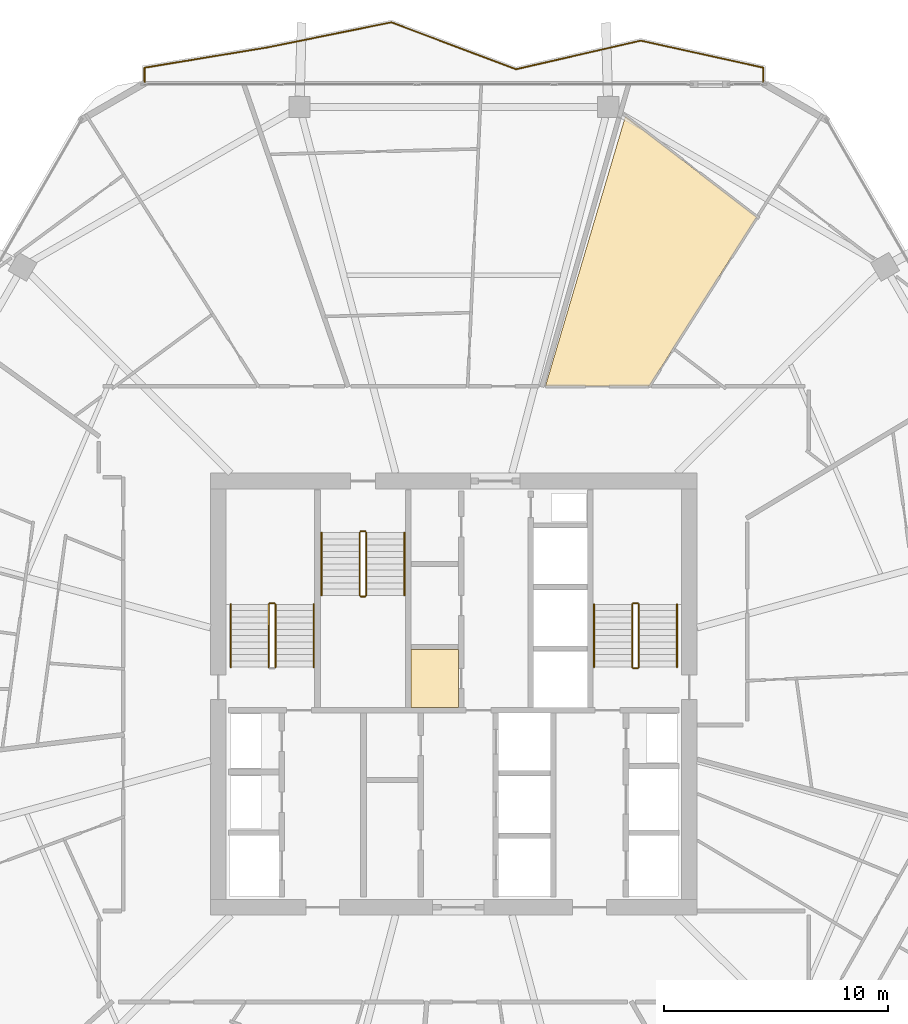
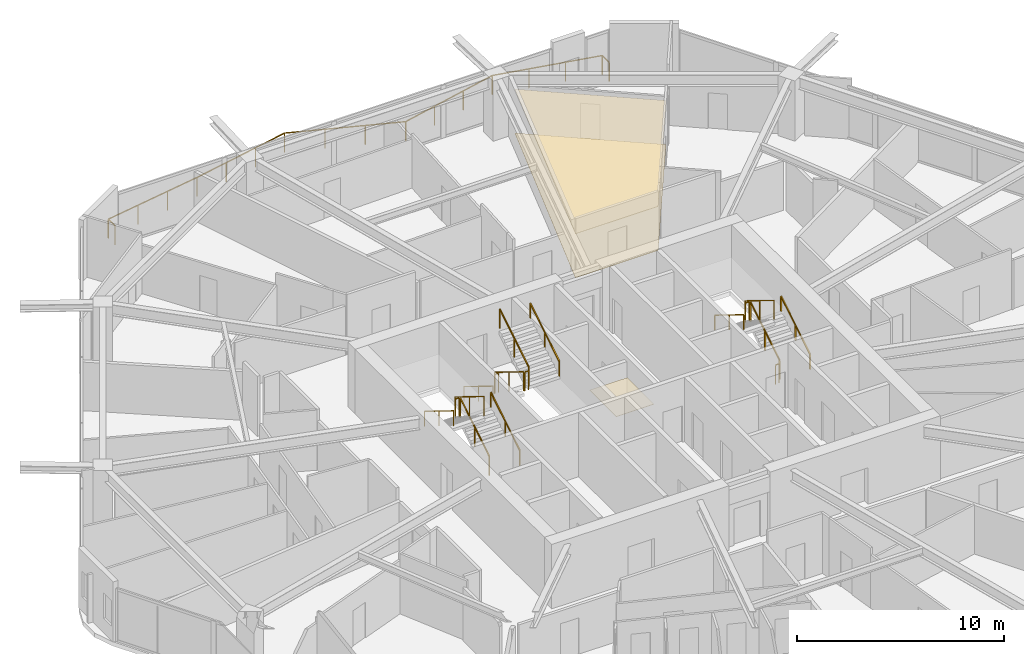
# One storey, part 25 of 25: 18 railings, 3 coverings.
"""IFC4 building model written with IfcOpenShell, lengths in metres."""

from ifc_helpers import new_model, si_unit, direction, frame, origin, origin_2d, place, context, subcontext, project, spatial, polyline, rectangle, outline, extrude, material, layer, layer_set, type_object, element, save


model = new_model("IFC4")

# Units and contexts
model_context = context("Model", 3, precision=1e-05, world=origin(), true_north=direction((0.0, 1.0)))
body_context = subcontext(model_context, "Body", "Model", "MODEL_VIEW")
ifc_project = project(units=[si_unit("LENGTHUNIT", "METRE"), si_unit("AREAUNIT", "SQUARE_METRE"), si_unit("VOLUMEUNIT", "CUBIC_METRE"), si_unit("PLANEANGLEUNIT", "RADIAN"), si_unit("MASSUNIT", "GRAM", prefix="KILO")], contexts=[model_context])

# Site, building, storey
site_placement = place(None, origin())
site = spatial("IfcSite", under=ifc_project, at=site_placement, CompositionType="ELEMENT")
building_placement = place(site_placement, origin())
building = spatial("IfcBuilding", under=site, at=building_placement, Name="Zuhravey Tower", CompositionType="ELEMENT")
storey_placement = place(building_placement, frame((0.0, 0.0, 196.0)))
storey = spatial("IfcBuildingStorey", under=building, at=storey_placement, Name="L49", CompositionType="ELEMENT", Elevation=196.0)

# Coverings
ifc_material_1 = material(Name="Mineral-fibre acoustic ceiling tile")
ifc_layer_1 = layer(ifc_material_1, 0.02490234375)
ifc_layer_set_1 = layer_set([ifc_layer_1], Name="Mineral-fibre acoustic ceiling tile")
covering_type_1 = type_object("IfcCoveringType", Name="Acoustic Suspended Ceiling", PredefinedType="CEILING", material=ifc_layer_set_1)
covering_1_placement = place(storey_placement, frame((0.0, 0.0, 2.590087890625)))
element("IfcCovering", 1, at=covering_1_placement, inside=storey, type_object=covering_type_1, Name="L49 Acoustic Suspended Ceiling CLG1", PredefinedType="CEILING", context=body_context, shape_type="SweptSolid", body=[
    extrude(outline(polyline([(44.709716796875, 45.72998046875), (40.087890625, 45.72998046875), (43.64990234375, 57.7548828125), (49.502197265625, 53.26416015625), (44.709716796875, 45.72998046875)])), origin(), (0.0, 0.0, 1.0), 0.02490234375),
])
ifc_material_2 = material(Name="Porcelain tile finish")
ifc_layer_2 = layer(ifc_material_2, 0.02001953125)
ifc_layer_set_2 = layer_set([ifc_layer_2], Name="Porcelain tile finish")
covering_type_2 = type_object("IfcCoveringType", Name="Apartment Ondol Porcelain Flooring", PredefinedType="FLOORING", material=ifc_layer_set_2)
covering_2_placement = place(storey_placement, origin())
element("IfcCovering", 2, at=covering_2_placement, inside=storey, type_object=covering_type_2, Name="L49 Principal Room Acoustic Flooring", PredefinedType="FLOORING", context=body_context, shape_type="SweptSolid", body=[
    extrude(outline(polyline([(44.709716796875, 45.72998046875), (40.087890625, 45.72998046875), (43.64990234375, 57.7548828125), (49.502197265625, 53.26416015625), (44.709716796875, 45.72998046875)])), origin(), (0.0, 0.0, 1.0), 0.02001953125),
])

# Railing
ifc_material_3 = material(Name="Stainless steel 316 and laminated glass", Category="steel")
railing_type_1 = type_object("IfcRailingType", Name="Balcony & Terrace Guardrail 1150", PredefinedType="BALUSTRADE", material=ifc_material_3)
railing_1_placement = place(storey_placement, frame((22.2099609375, 59.26806640625, 0.0)))
element("IfcRailing", 3, at=railing_1_placement, inside=storey, type_object=railing_type_1, Name="L49 Face 2 Wave Balcony Guardrail GR1", PredefinedType="BALUSTRADE", context=body_context, shape_type="SweptSolid", body=[
    extrude(rectangle(XDim=0.048095703125, YDim=0.048095703125, at=origin_2d()), frame((0.0, 0.001953125, 1.1259765625), z_axis=(0.0, 1.0, 0.0), x_axis=(-1.0, 0.0, 0.0)), (0.0, 0.0, 1.0), 0.651123046875),
    extrude(rectangle(XDim=0.048095703125, YDim=0.048095703125, at=origin_2d()), frame((0.001953125, 0.6552734375, 1.1259765625), z_axis=(0.986670809761, 0.162728956137, 0.0), x_axis=(-0.162728956137, 0.986670809761, 0.0)), (0.0, 0.0, 1.0), 5.544189453125),
    extrude(rectangle(XDim=0.048095703125, YDim=0.048095703125, at=origin_2d()), frame((5.47607421875, 1.558349609375, 1.1259765625), z_axis=(0.980076515324, 0.198620301353, 0.0), x_axis=(-0.198620301353, 0.980076515324, 0.0)), (0.0, 0.0, 1.0), 5.637939453125),
    extrude(rectangle(XDim=0.048095703125, YDim=0.048095703125, at=origin_2d()), frame((11.005615234375, 2.677734375, 1.1259765625), z_axis=(0.935884055715, -0.352308152415, 0.0), x_axis=(0.352308152415, 0.935884055715, 0.0)), (0.0, 0.0, 1.0), 5.93408203125),
    extrude(rectangle(XDim=0.048095703125, YDim=0.048095703125, at=origin_2d()), frame((16.56298828125, 0.5869140625, 1.1259765625), z_axis=(0.974697383174, 0.223528546799, 0.0), x_axis=(-0.223528546799, 0.974697383174, 0.0)), (0.0, 0.0, 1.0), 5.703857421875),
    extrude(rectangle(XDim=0.048095703125, YDim=0.048095703125, at=origin_2d()), frame((22.12646484375, 1.86181640625, 1.1259765625), z_axis=(0.976553775536, -0.215273601463, 0.0), x_axis=(0.215273601463, 0.976553775536, 0.0)), (0.0, 0.0, 1.0), 5.58251953125),
    extrude(rectangle(XDim=0.048095703125, YDim=0.048095703125, at=origin_2d()), frame((27.580078125, 0.65771484375, 1.1259765625), z_axis=(0.0, -1.0, 0.0), x_axis=(1.0, 0.0, 0.0)), (0.0, 0.0, 1.0), 0.65576171875),
    extrude(rectangle(XDim=0.0419921875, YDim=0.0419921875, at=origin_2d()), origin(), (0.0, 0.0, 1.0), 1.099853515625),
    extrude(rectangle(XDim=0.0419921875, YDim=0.0419921875, at=origin_2d()), frame((0.0, 0.655029296875, 0.0)), (0.0, 0.0, 1.0), 1.099853515625),
    extrude(rectangle(XDim=0.0419921875, YDim=0.0419921875, at=origin_2d()), frame((1.82470703125, 0.9560546875, 0.0)), (0.0, 0.0, 1.0), 1.099853515625),
    extrude(rectangle(XDim=0.0419921875, YDim=0.0419921875, at=origin_2d()), frame((3.6494140625, 1.2568359375, 0.0)), (0.0, 0.0, 1.0), 1.099853515625),
    extrude(rectangle(XDim=0.0419921875, YDim=0.0419921875, at=origin_2d()), frame((5.47412109375, 1.557861328125, 0.0)), (0.0, 0.0, 1.0), 1.099853515625),
    extrude(rectangle(XDim=0.0419921875, YDim=0.0419921875, at=origin_2d()), frame((7.3173828125, 1.931396484375, 0.0)), (0.0, 0.0, 1.0), 1.099853515625),
    extrude(rectangle(XDim=0.0419921875, YDim=0.0419921875, at=origin_2d()), frame((9.160400390625, 2.304931640625, 0.0)), (0.0, 0.0, 1.0), 1.099853515625),
    extrude(rectangle(XDim=0.0419921875, YDim=0.0419921875, at=origin_2d()), frame((11.003662109375, 2.678466796875, 0.0)), (0.0, 0.0, 1.0), 1.099853515625),
    extrude(rectangle(XDim=0.0419921875, YDim=0.0419921875, at=origin_2d()), frame((12.856201171875, 1.981201171875, 0.0)), (0.0, 0.0, 1.0), 1.099853515625),
    extrude(rectangle(XDim=0.0419921875, YDim=0.0419921875, at=origin_2d()), frame((14.70849609375, 1.28369140625, 0.0)), (0.0, 0.0, 1.0), 1.099853515625),
    extrude(rectangle(XDim=0.0419921875, YDim=0.0419921875, at=origin_2d()), frame((16.56103515625, 0.58642578125, 0.0)), (0.0, 0.0, 1.0), 1.099853515625),
    extrude(rectangle(XDim=0.0419921875, YDim=0.0419921875, at=origin_2d()), frame((18.41552734375, 1.01171875, 0.0)), (0.0, 0.0, 1.0), 1.099853515625),
    extrude(rectangle(XDim=0.0419921875, YDim=0.0419921875, at=origin_2d()), frame((20.27001953125, 1.43701171875, 0.0)), (0.0, 0.0, 1.0), 1.099853515625),
    extrude(rectangle(XDim=0.0419921875, YDim=0.0419921875, at=origin_2d()), frame((22.12451171875, 1.8623046875, 0.0)), (0.0, 0.0, 1.0), 1.099853515625),
    extrude(rectangle(XDim=0.0419921875, YDim=0.0419921875, at=origin_2d()), frame((23.943115234375, 1.46142578125, 0.0)), (0.0, 0.0, 1.0), 1.099853515625),
    extrude(rectangle(XDim=0.0419921875, YDim=0.0419921875, at=origin_2d()), frame((25.761474609375, 1.060546875, 0.0)), (0.0, 0.0, 1.0), 1.099853515625),
    extrude(rectangle(XDim=0.0419921875, YDim=0.0419921875, at=origin_2d()), frame((27.580078125, 0.65966796875, 0.0)), (0.0, 0.0, 1.0), 1.099853515625),
    extrude(rectangle(XDim=0.0419921875, YDim=0.0419921875, at=origin_2d()), frame((27.580078125, 0.0, 0.0)), (0.0, 0.0, 1.0), 1.099853515625),
])

# Covering
ifc_material_4 = material(Name="Moisture-resistant gypsum ceiling board")
ifc_layer_3 = layer(ifc_material_4, 0.02001953125)
ifc_layer_set_3 = layer_set([ifc_layer_3], Name="Moisture-resistant gypsum ceiling board")
covering_type_3 = type_object("IfcCoveringType", Name="Moisture-Resistant Ceiling", PredefinedType="CEILING", material=ifc_layer_set_3)
covering_3_placement = place(storey_placement, frame((0.0, 0.0, 2.590087890625)))
element("IfcCovering", 4, at=covering_3_placement, inside=storey, type_object=covering_type_3, Name="L49 Wet-Room Ceiling CLG2", PredefinedType="CEILING", context=body_context, shape_type="SweptSolid", body=[
    extrude(outline(polyline([(36.199951171875, 31.39990234375), (36.199951171875, 33.97998046875), (34.10009765625, 33.97998046875), (34.10009765625, 31.39990234375), (36.199951171875, 31.39990234375)])), origin(), (0.0, 0.0, 1.0), 0.02001953125),
])

# Railings
ifc_material_5 = material(Name="Brushed stainless steel", Category="steel")
railing_type_2 = type_object("IfcRailingType", Name="Stair Wall Handrail 900", PredefinedType="HANDRAIL", material=ifc_material_5)
railing_2_placement = place(storey_placement, frame((29.75, 33.199951171875, 0.172607421875)))
element("IfcRailing", 5, at=railing_2_placement, inside=storey, type_object=railing_type_2, Name="L49 ST1 stair handrail 1", PredefinedType="HANDRAIL", context=body_context, shape_type="SweptSolid", body=[
    extrude(rectangle(XDim=0.048095703125, YDim=0.048095703125, at=origin_2d()), frame((0.0, 0.001708984375, 0.876953125), z_axis=(0.0, 0.851089632645, 0.525020415988), x_axis=(-1.0, 0.0, 0.0)), (0.0, 0.0, 1.0), 3.285888671875),
    extrude(rectangle(XDim=0.0419921875, YDim=0.0419921875, at=origin_2d()), origin(), (0.0, 0.0, 1.0), 0.849853515625),
    extrude(rectangle(XDim=0.0419921875, YDim=0.0419921875, at=origin_2d()), frame((0.0, 1.39990234375, 0.86376953125)), (0.0, 0.0, 1.0), 0.849853515625),
    extrude(rectangle(XDim=0.0419921875, YDim=0.0419921875, at=origin_2d()), frame((0.0, 2.800048828125, 1.727294921875)), (0.0, 0.0, 1.0), 0.849853515625),
])
railing_3_placement = place(storey_placement, frame((26.050048828125, 36.0, 2.07275390625)))
element("IfcRailing", 6, at=railing_3_placement, inside=storey, type_object=railing_type_2, Name="L49 ST1 stair handrail 2", PredefinedType="HANDRAIL", context=body_context, shape_type="SweptSolid", body=[
    extrude(rectangle(XDim=0.048095703125, YDim=0.048095703125, at=origin_2d()), frame((0.0, -0.001708984375, 0.876953125), z_axis=(0.0, -0.851089632645, 0.525020415988), x_axis=(1.0, 0.0, 0.0)), (0.0, 0.0, 1.0), 3.285888671875),
    extrude(rectangle(XDim=0.0419921875, YDim=0.0419921875, at=origin_2d()), origin(), (0.0, 0.0, 1.0), 0.849853515625),
    extrude(rectangle(XDim=0.0419921875, YDim=0.0419921875, at=origin_2d()), frame((0.0, -1.39990234375, 0.86376953125)), (0.0, 0.0, 1.0), 0.849853515625),
    extrude(rectangle(XDim=0.0419921875, YDim=0.0419921875, at=origin_2d()), frame((0.0, -2.800048828125, 1.727294921875)), (0.0, 0.0, 1.0), 0.849853515625),
])
railing_4_placement = place(storey_placement, frame((45.949951171875, 33.199951171875, 0.172607421875)))
element("IfcRailing", 7, at=railing_4_placement, inside=storey, type_object=railing_type_2, Name="L49 ST2 stair handrail 1", PredefinedType="HANDRAIL", context=body_context, shape_type="SweptSolid", body=[
    extrude(rectangle(XDim=0.048095703125, YDim=0.048095703125, at=origin_2d()), frame((0.0, 0.001708984375, 0.876953125), z_axis=(0.0, 0.851089632645, 0.525020415988), x_axis=(-1.0, 0.0, 0.0)), (0.0, 0.0, 1.0), 3.285888671875),
    extrude(rectangle(XDim=0.0419921875, YDim=0.0419921875, at=origin_2d()), origin(), (0.0, 0.0, 1.0), 0.849853515625),
    extrude(rectangle(XDim=0.0419921875, YDim=0.0419921875, at=origin_2d()), frame((0.0, 1.39990234375, 0.86376953125)), (0.0, 0.0, 1.0), 0.849853515625),
    extrude(rectangle(XDim=0.0419921875, YDim=0.0419921875, at=origin_2d()), frame((0.0, 2.800048828125, 1.727294921875)), (0.0, 0.0, 1.0), 0.849853515625),
])
for number, where, name in (
    (8, (42.25, 36.0, 2.07275390625), "L49 ST2 stair handrail 2"),
    (9, (30.10009765625, 39.199951171875, 0.172607421875), "L49 ST3 stair handrail 1"),
):
    element("IfcRailing", number, at=place(storey_placement, frame(where)), inside=storey, type_object=railing_type_2, Name=name, PredefinedType="HANDRAIL", context=body_context, shape_type="SweptSolid", body=[
        extrude(rectangle(XDim=0.048095703125, YDim=0.048095703125, at=origin_2d()), frame((0.0, -0.001708984375, 0.876953125), z_axis=(0.0, -0.851089632645, 0.525020415988), x_axis=(1.0, 0.0, 0.0)), (0.0, 0.0, 1.0), 3.285888671875),
        extrude(rectangle(XDim=0.0419921875, YDim=0.0419921875, at=origin_2d()), origin(), (0.0, 0.0, 1.0), 0.849853515625),
        extrude(rectangle(XDim=0.0419921875, YDim=0.0419921875, at=origin_2d()), frame((0.0, -1.39990234375, 0.86376953125)), (0.0, 0.0, 1.0), 0.849853515625),
        extrude(rectangle(XDim=0.0419921875, YDim=0.0419921875, at=origin_2d()), frame((0.0, -2.800048828125, 1.727294921875)), (0.0, 0.0, 1.0), 0.849853515625),
    ])
railing_5_placement = place(storey_placement, frame((33.800048828125, 36.39990234375, 2.07275390625)))
element("IfcRailing", 10, at=railing_5_placement, inside=storey, type_object=railing_type_2, Name="L49 ST3 stair handrail 2", PredefinedType="HANDRAIL", context=body_context, shape_type="SweptSolid", body=[
    extrude(rectangle(XDim=0.048095703125, YDim=0.048095703125, at=origin_2d()), frame((0.0, 0.001708984375, 0.876953125), z_axis=(0.0, 0.851089632645, 0.525020415988), x_axis=(-1.0, 0.0, 0.0)), (0.0, 0.0, 1.0), 3.285888671875),
    extrude(rectangle(XDim=0.0419921875, YDim=0.0419921875, at=origin_2d()), origin(), (0.0, 0.0, 1.0), 0.849853515625),
    extrude(rectangle(XDim=0.0419921875, YDim=0.0419921875, at=origin_2d()), frame((0.0, 1.39990234375, 0.86376953125)), (0.0, 0.0, 1.0), 0.849853515625),
    extrude(rectangle(XDim=0.0419921875, YDim=0.0419921875, at=origin_2d()), frame((0.0, 2.800048828125, 1.727294921875)), (0.0, 0.0, 1.0), 0.849853515625),
])
ifc_material_6 = material(Name="Painted tubular steel", Category="steel")
railing_type_3 = type_object("IfcRailingType", Name="Stair Well Guardrail 1150", PredefinedType="GUARDRAIL", material=ifc_material_6)
railing_6_placement = place(storey_placement, frame((28.050048828125, 33.199951171875, 0.172607421875)))
element("IfcRailing", 11, at=railing_6_placement, inside=storey, type_object=railing_type_3, Name="L49 ST1 stair guard 1", PredefinedType="GUARDRAIL", context=body_context, shape_type="SweptSolid", body=[
    extrude(rectangle(XDim=0.048095703125, YDim=0.048095703125, at=origin_2d()), frame((0.0, 0.001708984375, 1.126953125), z_axis=(0.0, 0.851089632645, 0.525020415988), x_axis=(-1.0, 0.0, 0.0)), (0.0, 0.0, 1.0), 3.285888671875),
    extrude(rectangle(XDim=0.0419921875, YDim=0.0419921875, at=origin_2d()), origin(), (0.0, 0.0, 1.0), 1.099853515625),
    extrude(rectangle(XDim=0.0419921875, YDim=0.0419921875, at=origin_2d()), frame((0.0, 1.39990234375, 0.86376953125)), (0.0, 0.0, 1.0), 1.099853515625),
    extrude(rectangle(XDim=0.0419921875, YDim=0.0419921875, at=origin_2d()), frame((0.0, 2.800048828125, 1.727294921875)), (0.0, 0.0, 1.0), 1.099853515625),
])
railing_7_placement = place(storey_placement, frame((28.0, 36.050048828125, 1.89990234375)))
element("IfcRailing", 12, at=railing_7_placement, inside=storey, type_object=railing_type_3, Name="L49 ST1 stair guard 2", PredefinedType="GUARDRAIL", context=body_context, shape_type="SweptSolid", body=[
    extrude(rectangle(XDim=0.048095703125, YDim=0.048095703125, at=origin_2d()), frame((-0.001953125, 0.0, 1.1259765625), z_axis=(-1.0, 0.0, 0.0), x_axis=(0.0, -1.0, 0.0)), (0.0, 0.0, 1.0), 0.196044921875),
    extrude(rectangle(XDim=0.0419921875, YDim=0.0419921875, at=origin_2d()), origin(), (0.0, 0.0, 1.0), 1.099853515625),
    extrude(rectangle(XDim=0.0419921875, YDim=0.0419921875, at=origin_2d()), frame((-0.199951171875, 0.0, 0.0)), (0.0, 0.0, 1.0), 1.099853515625),
])
railing_8_placement = place(storey_placement, frame((27.75, 36.0, 2.07275390625)))
element("IfcRailing", 13, at=railing_8_placement, inside=storey, type_object=railing_type_3, Name="L49 ST1 stair guard 3", PredefinedType="GUARDRAIL", context=body_context, shape_type="SweptSolid", body=[
    extrude(rectangle(XDim=0.048095703125, YDim=0.048095703125, at=origin_2d()), frame((0.0, -0.001708984375, 1.126953125), z_axis=(0.0, -0.851089632645, 0.525020415988), x_axis=(1.0, 0.0, 0.0)), (0.0, 0.0, 1.0), 3.285888671875),
    extrude(rectangle(XDim=0.0419921875, YDim=0.0419921875, at=origin_2d()), origin(), (0.0, 0.0, 1.0), 1.099853515625),
    extrude(rectangle(XDim=0.0419921875, YDim=0.0419921875, at=origin_2d()), frame((0.0, -1.39990234375, 0.86376953125)), (0.0, 0.0, 1.0), 1.099853515625),
    extrude(rectangle(XDim=0.0419921875, YDim=0.0419921875, at=origin_2d()), frame((0.0, -2.800048828125, 1.727294921875)), (0.0, 0.0, 1.0), 1.099853515625),
])
railing_9_placement = place(storey_placement, frame((44.25, 33.199951171875, 0.172607421875)))
element("IfcRailing", 14, at=railing_9_placement, inside=storey, type_object=railing_type_3, Name="L49 ST2 stair guard 1", PredefinedType="GUARDRAIL", context=body_context, shape_type="SweptSolid", body=[
    extrude(rectangle(XDim=0.048095703125, YDim=0.048095703125, at=origin_2d()), frame((0.0, 0.001708984375, 1.126953125), z_axis=(0.0, 0.851089632645, 0.525020415988), x_axis=(-1.0, 0.0, 0.0)), (0.0, 0.0, 1.0), 3.285888671875),
    extrude(rectangle(XDim=0.0419921875, YDim=0.0419921875, at=origin_2d()), origin(), (0.0, 0.0, 1.0), 1.099853515625),
    extrude(rectangle(XDim=0.0419921875, YDim=0.0419921875, at=origin_2d()), frame((0.0, 1.39990234375, 0.86376953125)), (0.0, 0.0, 1.0), 1.099853515625),
    extrude(rectangle(XDim=0.0419921875, YDim=0.0419921875, at=origin_2d()), frame((0.0, 2.800048828125, 1.727294921875)), (0.0, 0.0, 1.0), 1.099853515625),
])
railing_10_placement = place(storey_placement, frame((44.199951171875, 36.050048828125, 1.89990234375)))
element("IfcRailing", 15, at=railing_10_placement, inside=storey, type_object=railing_type_3, Name="L49 ST2 stair guard 2", PredefinedType="GUARDRAIL", context=body_context, shape_type="SweptSolid", body=[
    extrude(rectangle(XDim=0.048095703125, YDim=0.048095703125, at=origin_2d()), frame((-0.001953125, 0.0, 1.1259765625), z_axis=(-1.0, 0.0, 0.0), x_axis=(0.0, -1.0, 0.0)), (0.0, 0.0, 1.0), 0.196044921875),
    extrude(rectangle(XDim=0.0419921875, YDim=0.0419921875, at=origin_2d()), origin(), (0.0, 0.0, 1.0), 1.099853515625),
    extrude(rectangle(XDim=0.0419921875, YDim=0.0419921875, at=origin_2d()), frame((-0.199951171875, 0.0, 0.0)), (0.0, 0.0, 1.0), 1.099853515625),
])
railing_11_placement = place(storey_placement, frame((43.949951171875, 36.0, 2.07275390625)))
element("IfcRailing", 16, at=railing_11_placement, inside=storey, type_object=railing_type_3, Name="L49 ST2 stair guard 3", PredefinedType="GUARDRAIL", context=body_context, shape_type="SweptSolid", body=[
    extrude(rectangle(XDim=0.048095703125, YDim=0.048095703125, at=origin_2d()), frame((0.0, -0.001708984375, 1.126953125), z_axis=(0.0, -0.851089632645, 0.525020415988), x_axis=(1.0, 0.0, 0.0)), (0.0, 0.0, 1.0), 3.285888671875),
    extrude(rectangle(XDim=0.0419921875, YDim=0.0419921875, at=origin_2d()), origin(), (0.0, 0.0, 1.0), 1.099853515625),
    extrude(rectangle(XDim=0.0419921875, YDim=0.0419921875, at=origin_2d()), frame((0.0, -1.39990234375, 0.86376953125)), (0.0, 0.0, 1.0), 1.099853515625),
    extrude(rectangle(XDim=0.0419921875, YDim=0.0419921875, at=origin_2d()), frame((0.0, -2.800048828125, 1.727294921875)), (0.0, 0.0, 1.0), 1.099853515625),
])
railing_12_placement = place(storey_placement, frame((44.199951171875, 33.14990234375, 0.0)))
element("IfcRailing", 17, at=railing_12_placement, inside=storey, type_object=railing_type_3, Name="L49 ST2 stair guard 4", PredefinedType="GUARDRAIL", context=body_context, shape_type="SweptSolid", body=[
    extrude(rectangle(XDim=0.048095703125, YDim=0.048095703125, at=origin_2d()), frame((-0.001953125, 0.0, 1.1259765625), z_axis=(-1.0, 0.0, 0.0), x_axis=(0.0, -1.0, 0.0)), (0.0, 0.0, 1.0), 0.196044921875),
    extrude(rectangle(XDim=0.0419921875, YDim=0.0419921875, at=origin_2d()), origin(), (0.0, 0.0, 1.0), 1.099853515625),
    extrude(rectangle(XDim=0.0419921875, YDim=0.0419921875, at=origin_2d()), frame((-0.199951171875, 0.0, 0.0)), (0.0, 0.0, 1.0), 1.099853515625),
])
railing_13_placement = place(storey_placement, frame((31.800048828125, 39.199951171875, 0.172607421875)))
element("IfcRailing", 18, at=railing_13_placement, inside=storey, type_object=railing_type_3, Name="L49 ST3 stair guard 1", PredefinedType="GUARDRAIL", context=body_context, shape_type="SweptSolid", body=[
    extrude(rectangle(XDim=0.048095703125, YDim=0.048095703125, at=origin_2d()), frame((0.0, -0.001708984375, 1.126953125), z_axis=(0.0, -0.851089632645, 0.525020415988), x_axis=(1.0, 0.0, 0.0)), (0.0, 0.0, 1.0), 3.285888671875),
    extrude(rectangle(XDim=0.0419921875, YDim=0.0419921875, at=origin_2d()), origin(), (0.0, 0.0, 1.0), 1.099853515625),
    extrude(rectangle(XDim=0.0419921875, YDim=0.0419921875, at=origin_2d()), frame((0.0, -1.39990234375, 0.86376953125)), (0.0, 0.0, 1.0), 1.099853515625),
    extrude(rectangle(XDim=0.0419921875, YDim=0.0419921875, at=origin_2d()), frame((0.0, -2.800048828125, 1.727294921875)), (0.0, 0.0, 1.0), 1.099853515625),
])
railing_14_placement = place(storey_placement, frame((31.85009765625, 36.35009765625, 1.89990234375)))
element("IfcRailing", 19, at=railing_14_placement, inside=storey, type_object=railing_type_3, Name="L49 ST3 stair guard 2", PredefinedType="GUARDRAIL", context=body_context, shape_type="SweptSolid", body=[
    extrude(rectangle(XDim=0.048095703125, YDim=0.048095703125, at=origin_2d()), frame((0.001953125, 0.0, 1.1259765625), z_axis=(1.0, 0.0, 0.0), x_axis=(0.0, 1.0, 0.0)), (0.0, 0.0, 1.0), 0.196044921875),
    extrude(rectangle(XDim=0.0419921875, YDim=0.0419921875, at=origin_2d()), origin(), (0.0, 0.0, 1.0), 1.099853515625),
    extrude(rectangle(XDim=0.0419921875, YDim=0.0419921875, at=origin_2d()), frame((0.199951171875, 0.0, 0.0)), (0.0, 0.0, 1.0), 1.099853515625),
])
railing_15_placement = place(storey_placement, frame((32.10009765625, 36.39990234375, 2.07275390625)))
element("IfcRailing", 20, at=railing_15_placement, inside=storey, type_object=railing_type_3, Name="L49 ST3 stair guard 3", PredefinedType="GUARDRAIL", context=body_context, shape_type="SweptSolid", body=[
    extrude(rectangle(XDim=0.048095703125, YDim=0.048095703125, at=origin_2d()), frame((0.0, 0.001708984375, 1.126953125), z_axis=(0.0, 0.851089632645, 0.525020415988), x_axis=(-1.0, 0.0, 0.0)), (0.0, 0.0, 1.0), 3.285888671875),
    extrude(rectangle(XDim=0.0419921875, YDim=0.0419921875, at=origin_2d()), origin(), (0.0, 0.0, 1.0), 1.099853515625),
    extrude(rectangle(XDim=0.0419921875, YDim=0.0419921875, at=origin_2d()), frame((0.0, 1.39990234375, 0.86376953125)), (0.0, 0.0, 1.0), 1.099853515625),
    extrude(rectangle(XDim=0.0419921875, YDim=0.0419921875, at=origin_2d()), frame((0.0, 2.800048828125, 1.727294921875)), (0.0, 0.0, 1.0), 1.099853515625),
])
railing_16_placement = place(storey_placement, frame((31.85009765625, 39.25, 0.0)))
element("IfcRailing", 21, at=railing_16_placement, inside=storey, type_object=railing_type_3, Name="L49 ST3 stair guard 4", PredefinedType="GUARDRAIL", context=body_context, shape_type="SweptSolid", body=[
    extrude(rectangle(XDim=0.048095703125, YDim=0.048095703125, at=origin_2d()), frame((0.001953125, 0.0, 1.1259765625), z_axis=(1.0, 0.0, 0.0), x_axis=(0.0, 1.0, 0.0)), (0.0, 0.0, 1.0), 0.196044921875),
    extrude(rectangle(XDim=0.0419921875, YDim=0.0419921875, at=origin_2d()), origin(), (0.0, 0.0, 1.0), 1.099853515625),
    extrude(rectangle(XDim=0.0419921875, YDim=0.0419921875, at=origin_2d()), frame((0.199951171875, 0.0, 0.0)), (0.0, 0.0, 1.0), 1.099853515625),
])

save(model, "model.ifc")
